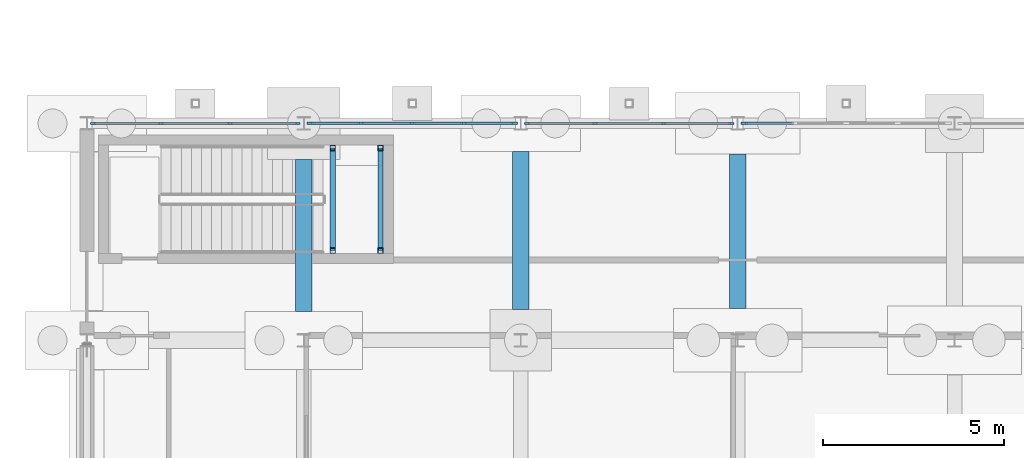
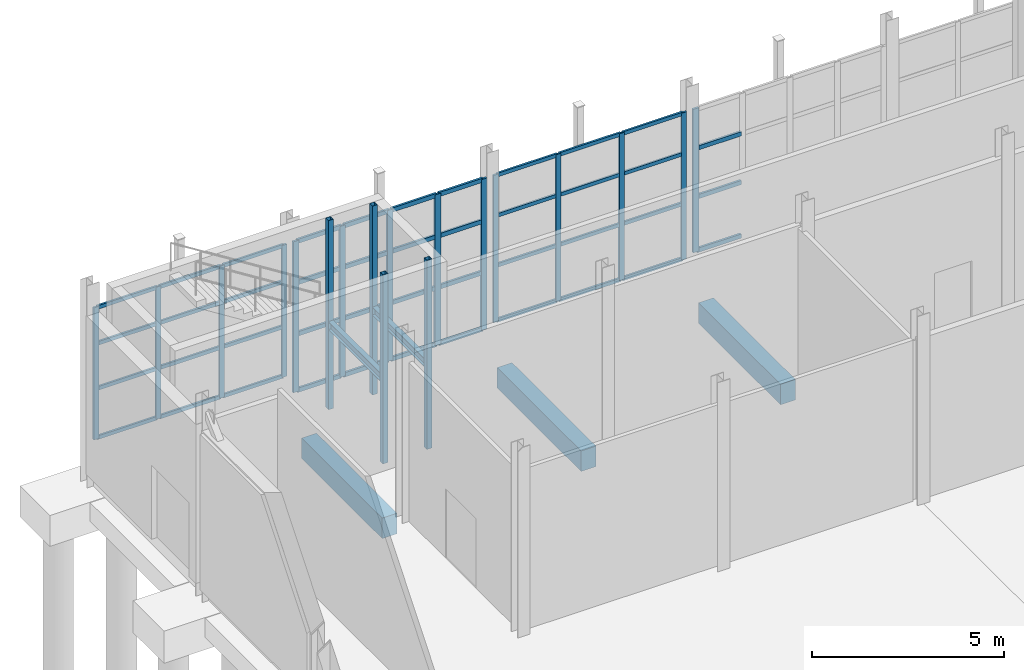
# One storey, part 35 of 120: 61 members, 5 beams, 4 elements without a shape of their own.
"""IFC4 building model written with IfcOpenShell, lengths in metres."""

import ifcopenshell
import ifcopenshell.guid

model = None  # the IFC model being written
_history = None  # IfcOwnerHistory: only IFC2X3 demands one
_inside = {}  # id of a spatial element -> (the spatial element, [elements in it])
_under = {}  # id of a project, library or spatial element -> (it, [spatial elements below it])
_declared = {}  # id of a project -> (the project, [libraries it declares])
_typed = {}  # id of a type object -> (the type object, [elements of that type])
_made_of = {}  # id of a material, layer set ... -> (it, [elements and type objects made of it])


def new_model(schema):
    """Start an empty IFC model of exactly this schema.

    Asked for "IFC4X3", IfcOpenShell would pick the latest addendum, in which some entities
    have other attributes; the version numbers below select the first issue.
    IFC2X3 requires an IfcOwnerHistory on every rooted entity: one is made here for all.
    """
    global model, _history
    if schema == "IFC4X3":
        model = ifcopenshell.file(schema_version=(4, 3, 0, 0))
    else:
        model = ifcopenshell.file(schema=schema)
    _inside.clear()
    _under.clear()
    _declared.clear()
    _typed.clear()
    _made_of.clear()
    _history = None
    if model.schema == "IFC2X3":
        org = make("IfcOrganization", Name="unknown")
        user = make(
            "IfcPersonAndOrganization",
            ThePerson=make("IfcPerson", FamilyName="unknown"),
            TheOrganization=org,
        )
        app = make(
            "IfcApplication",
            ApplicationDeveloper=org,
            Version="unknown",
            ApplicationFullName="unknown",
            ApplicationIdentifier="unknown",
        )
        _history = make(
            "IfcOwnerHistory",
            OwningUser=user,
            OwningApplication=app,
            ChangeAction="ADDED",
            CreationDate=0,
        )
    return model


def make(cls, **values):
    """One entity of the class cls with the attributes given. An attribute that is None is left unset."""
    return model.create_entity(
        cls, **{name: value for name, value in values.items() if value is not None}
    )


def rooted(cls, **values):
    """An entity with a GlobalId (a new one), such as an element, a storey or a relation."""
    return make(cls, GlobalId=ifcopenshell.guid.new(), OwnerHistory=_history, **values)


def si_unit(unit_type, name, prefix=None):
    """IfcSIUnit, for example si_unit("LENGTHUNIT", "METRE", prefix="MILLI")."""
    return make("IfcSIUnit", UnitType=unit_type, Prefix=prefix, Name=name)


def assignment(units):
    """IfcUnitAssignment: the units of a project."""
    return None if units is None else make("IfcUnitAssignment", Units=units)


def point(xyz):
    """IfcCartesianPoint."""
    return None if xyz is None else make("IfcCartesianPoint", Coordinates=xyz)


def direction(xyz):
    """IfcDirection."""
    return None if xyz is None else make("IfcDirection", DirectionRatios=xyz)


def frame(location, z_axis=None, x_axis=None):
    """IfcAxis2Placement3D, a coordinate frame: its origin and axes. An axis left out is left unset."""
    return make(
        "IfcAxis2Placement3D",
        Location=point(location),
        Axis=direction(z_axis),
        RefDirection=direction(x_axis),
    )


def frame_2d(location, x_axis=None):
    """IfcAxis2Placement2D, a coordinate frame in the plane: its origin and x axis."""
    return make(
        "IfcAxis2Placement2D", Location=point(location), RefDirection=direction(x_axis)
    )


def origin():
    """The frame at (0, 0, 0) with its axes left unset."""
    return frame((0.0, 0.0, 0.0))


def origin_2d():
    """The frame at (0, 0) in the plane with its x axis left unset."""
    return frame_2d((0.0, 0.0))


def place(relative_to, where):
    """IfcLocalPlacement: puts the frame where relative to a parent placement (None: the world)."""
    return make(
        "IfcLocalPlacement", PlacementRelTo=relative_to, RelativePlacement=where
    )


def context(
    kind, dimensions, precision=None, world=None, true_north=None, identifier=None
):
    """IfcGeometricRepresentationContext, for example the 3D "Model" context."""
    return make(
        "IfcGeometricRepresentationContext",
        ContextIdentifier=identifier,
        ContextType=kind,
        CoordinateSpaceDimension=dimensions,
        Precision=precision,
        WorldCoordinateSystem=world,
        TrueNorth=true_north,
    )


def subcontext(parent, identifier, kind, view, scale=None):
    """IfcGeometricRepresentationSubContext, for example "Body" below "Model"."""
    return make(
        "IfcGeometricRepresentationSubContext",
        ContextIdentifier=identifier,
        ContextType=kind,
        ParentContext=parent,
        TargetScale=scale,
        TargetView=view,
    )


def project(units=None, contexts=None):
    """IfcProject with its units and contexts."""
    return rooted(
        "IfcProject",
        Name="project",
        RepresentationContexts=contexts,
        UnitsInContext=assignment(units),
    )


def spatial(cls, under=None, at=None, **own):
    """A site, building, storey or space (cls), placed at a placement, below another one or the project."""
    s = rooted(cls, ObjectPlacement=at, **own)
    if under is not None:
        _under.setdefault(under.id(), (under, []))[1].append(s)
    return s


def profile(cls, at=None, kind="AREA", **sizes):
    """A parametric profile (cls). Its sizes go by their IFC names, for example OverallWidth=200.0."""
    return make(cls, ProfileType=kind, Position=at, **sizes)


def rectangle(**sizes):
    """IfcRectangleProfileDef."""
    return profile("IfcRectangleProfileDef", **sizes)


def hollow_rectangle(**sizes):
    """IfcRectangleHollowProfileDef."""
    return profile("IfcRectangleHollowProfileDef", **sizes)


def i_section(**sizes):
    """IfcIShapeProfileDef."""
    return profile("IfcIShapeProfileDef", **sizes)


def extrude(swept, where, along, depth):
    """IfcExtrudedAreaSolid: the profile swept, set in the frame where, extruded along a direction by depth."""
    return make(
        "IfcExtrudedAreaSolid",
        SweptArea=swept,
        Position=where,
        ExtrudedDirection=direction(along),
        Depth=depth,
    )


def shape(context_of_items, identifier, shape_type, items):
    """IfcShapeRepresentation: the items that make up one representation, for example the "Body"."""
    return make(
        "IfcShapeRepresentation",
        ContextOfItems=context_of_items,
        RepresentationIdentifier=identifier,
        RepresentationType=shape_type,
        Items=items,
    )


def material(Name=None, Category=None):
    """IfcMaterial."""
    return make("IfcMaterial", Name=Name, Category=Category)


def material_profile(
    of_material, cross_section, Name=None, Category=None, Priority=None
):
    """IfcMaterialProfile: a cross section and its material."""
    return make(
        "IfcMaterialProfile",
        Name=Name,
        Material=of_material,
        Profile=cross_section,
        Priority=Priority,
        Category=Category,
    )


def profile_set(profiles, Name=None, composite=None):
    """IfcMaterialProfileSet."""
    return make(
        "IfcMaterialProfileSet",
        Name=Name,
        MaterialProfiles=profiles,
        CompositeProfile=composite,
    )


def made_of(thing, what):
    """Note that an element or type object is made of a material, layer set ...; save() writes the relation."""
    if what is not None:
        _made_of.setdefault(what.id(), (what, []))[1].append(thing)
    return thing


def type_object(cls, material=None, **own):
    """A type object (cls), such as IfcWallType, which elements share."""
    return made_of(rooted(cls, **own), material)


def element(
    cls,
    number,
    at=None,
    inside=None,
    cuts=None,
    type_object=None,
    material=None,
    context=None,
    identifier="Body",
    shape_type=None,
    held_by="IfcProductDefinitionShape",
    body=None,
    shapes=None,
    **own,
):
    """One element of the class cls, such as IfcWall. Its Tag is "e" and its number.

    at: its placement. inside: the storey or other place that contains it. cuts: it is an
    opening in that element (IfcRelVoidsElement). A single representation is given by context,
    identifier, shape_type and body (its items); several are given by shapes. held_by: the class
    of the entity that holds the representations. save() writes the other relations.
    """
    e = rooted(cls, Tag="e%d" % number, ObjectPlacement=at, **own)
    if body is not None:
        shapes = [shape(context, identifier, shape_type, body)]
    if shapes is not None:
        e.Representation = make(held_by, Representations=shapes)
    if inside is not None:
        _inside.setdefault(inside.id(), (inside, []))[1].append(e)
    if cuts is not None:
        rooted(
            "IfcRelVoidsElement", RelatingBuildingElement=cuts, RelatedOpeningElement=e
        )
    if type_object is not None:
        _typed.setdefault(type_object.id(), (type_object, []))[1].append(e)
    return made_of(e, material)


def aggregate(whole, parts):
    """IfcRelAggregates: a whole, such as a stair, and the parts it consists of."""
    return rooted("IfcRelAggregates", RelatingObject=whole, RelatedObjects=parts)


def save(model, path):
    """Write the relations noted so far, then the file.

    IfcRelAggregates (storeys below a building ...), IfcRelContainedInSpatialStructure (elements
    in a storey), IfcRelDefinesByType, IfcRelAssociatesMaterial and IfcRelDeclares: one each for
    every whole, place, type object, material and project.
    """
    for whole, parts in _under.values():
        aggregate(whole, parts)
    for where, things in _inside.values():
        rooted(
            "IfcRelContainedInSpatialStructure",
            RelatedElements=things,
            RelatingStructure=where,
        )
    for kind, things in _typed.values():
        rooted("IfcRelDefinesByType", RelatedObjects=things, RelatingType=kind)
    for what, things in _made_of.values():
        rooted("IfcRelAssociatesMaterial", RelatedObjects=things, RelatingMaterial=what)
    for by, libraries in _declared.values():
        rooted("IfcRelDeclares", RelatingContext=by, RelatedDefinitions=libraries)
    model.write(path)


model = new_model("IFC4")

# Units and contexts
model_context = context("Model", 3, precision=1e-05, world=origin(), true_north=direction((0.0, 1.0)))
body_context = subcontext(model_context, "Body", "Model", "MODEL_VIEW")
ifc_project = project(units=[si_unit("LENGTHUNIT", "METRE"), si_unit("AREAUNIT", "SQUARE_METRE"), si_unit("VOLUMEUNIT", "CUBIC_METRE"), si_unit("PLANEANGLEUNIT", "RADIAN"), si_unit("MASSUNIT", "GRAM", prefix="KILO")], contexts=[model_context])

# Site, building, storey
site_placement = place(None, origin())
site = spatial("IfcSite", under=ifc_project, at=site_placement, CompositionType="ELEMENT")
building_placement = place(site_placement, origin())
building = spatial("IfcBuilding", under=site, at=building_placement, Name="Siltcreek Boulevard Central Fire Station", CompositionType="ELEMENT")
storey_placement = place(building_placement, origin())
storey = spatial("IfcBuildingStorey", under=building, at=storey_placement, Name="L01", CompositionType="ELEMENT", Elevation=0.0)

# Members
ifc_material_1 = material(Name="Structural steel ASTM A500 GrC", Category="steel")
ifc_material_profile_1 = material_profile(ifc_material_1, hollow_rectangle(XDim=0.14990234375, YDim=0.14990234375, WallThickness=0.008056640625, at=origin_2d()), Name="HSS150X150X8.0")
ifc_profile_set_1 = profile_set([ifc_material_profile_1], Name="Structural steel ASTM A500 GrC")
member_type_1 = type_object("IfcMemberType", Name="BR_HSS150_8", PredefinedType="BRACE", material=ifc_profile_set_1)
for number, where, z_axis, x_axis, name in (
    (1, (8.60009765625, 50.47998046875, 0.0), (0.0, 0.0, 1.0), (1.0, 0.0, 0.0), "L01 ST-V4A stair landing corner post SW"),
    (2, (8.60009765625, 53.320068359375, 0.0), (0.0, 0.0, 1.0), (1.0, 0.0, 0.0), "L01 ST-V4A stair landing corner post NW"),
    (3, (9.919921875, 50.47998046875, 0.0), (0.0, 0.0, 1.0), (1.0, 0.0, 0.0), "L01 ST-V4A stair landing corner post SE"),
    (4, (9.919921875, 53.320068359375, 0.0), (0.0, 0.0, 1.0), (1.0, 0.0, 0.0), "L01 ST-V4A stair landing corner post NE"),
):
    element("IfcMember", number, at=place(storey_placement, frame(where, z_axis=z_axis, x_axis=x_axis)), inside=storey, type_object=member_type_1, Name=name, PredefinedType="BRACE", context=body_context, shape_type="SweptSolid", body=[
        extrude(hollow_rectangle(XDim=0.14990234375, YDim=0.14990234375, WallThickness=0.008056640625, at=origin_2d()), origin(), (0.0, 0.0, 1.0), 6.0),
    ])

# Curtain wall, members
ifc_material_2 = material(Name="Anodized aluminum and low-E insulated glazing", Category="aluminium")
curtain_wall_type_1 = type_object("IfcCurtainWallType", Name="CW_SYS_30", PredefinedType="USERDEFINED", material=ifc_material_2)
curtain_wall_1_placement = place(storey_placement, origin())
curtain_wall_1 = element("IfcCurtainWall", 5, at=curtain_wall_1_placement, inside=storey, type_object=curtain_wall_type_1, Name="L01 V4 unitised curtain wall CW-089", ObjectType="CURTAIN WALL", PredefinedType="USERDEFINED")
ifc_material_3 = material(Name="Anodized 6063-T6 aluminum framing", Category="aluminium")
ifc_material_profile_2 = material_profile(ifc_material_3, rectangle(XDim=0.06005859375, YDim=0.14990234375, at=origin_2d()), Name="MULL60X150")
ifc_profile_set_2 = profile_set([ifc_material_profile_2], Name="Anodized 6063-T6 aluminum framing")
member_type_2 = type_object("IfcMemberType", Name="CWM_60X150", PredefinedType="MULLION", material=ifc_profile_set_2)
member_1_placement = place(storey_placement, frame((7.625, 54.0, 0.919921875), z_axis=(0.0, 0.0, 1.0), x_axis=(0.0, -1.0, 0.0)))
member_1 = element("IfcMember", 6, at=member_1_placement, type_object=member_type_2, Name="CW-089 mullion 1", PredefinedType="MULLION", context=body_context, shape_type="SweptSolid", body=[
    extrude(rectangle(XDim=0.06005859375, YDim=0.14990234375, at=origin_2d()), origin(), (0.0, 0.0, 1.0), 4.193115234375),
])
member_2_placement = place(storey_placement, frame((5.751708984375, 54.0, 0.919921875), z_axis=(0.0, 0.0, 1.0), x_axis=(0.0, -1.0, 0.0)))
member_2 = element("IfcMember", 7, at=member_2_placement, type_object=member_type_2, Name="CW-089 mullion 2", PredefinedType="MULLION", context=body_context, shape_type="SweptSolid", body=[
    extrude(rectangle(XDim=0.06005859375, YDim=0.14990234375, at=origin_2d()), origin(), (0.0, 0.0, 1.0), 4.193115234375),
])
member_3_placement = place(storey_placement, frame((3.848388671875, 54.0, 0.919921875), z_axis=(0.0, 0.0, 1.0), x_axis=(0.0, -1.0, 0.0)))
member_3 = element("IfcMember", 8, at=member_3_placement, type_object=member_type_2, Name="CW-089 mullion 3", PredefinedType="MULLION", context=body_context, shape_type="SweptSolid", body=[
    extrude(rectangle(XDim=0.06005859375, YDim=0.14990234375, at=origin_2d()), origin(), (0.0, 0.0, 1.0), 4.193115234375),
])
member_4_placement = place(storey_placement, frame((1.97509765625, 54.0, 0.919921875), z_axis=(0.0, 0.0, 1.0), x_axis=(0.0, -1.0, 0.0)))
member_4 = element("IfcMember", 9, at=member_4_placement, type_object=member_type_2, Name="CW-089 mullion 4", PredefinedType="MULLION", context=body_context, shape_type="SweptSolid", body=[
    extrude(rectangle(XDim=0.06005859375, YDim=0.14990234375, at=origin_2d()), origin(), (0.0, 0.0, 1.0), 4.193115234375),
])

curtain_wall_type_2 = type_object("IfcCurtainWallType", Name="CW_SYS_02", PredefinedType="USERDEFINED", material=ifc_material_2)
curtain_wall_2_placement = place(storey_placement, origin())
curtain_wall_2 = element("IfcCurtainWall", 10, at=curtain_wall_2_placement, inside=storey, type_object=curtain_wall_type_2, Name="L01 V4 unitised curtain wall CW-091", ObjectType="CURTAIN WALL", PredefinedType="USERDEFINED")
member_5_placement = place(storey_placement, frame((19.625, 54.0, 0.43994140625), z_axis=(0.0, 0.0, 1.0), x_axis=(0.0, -1.0, 0.0)))
member_5 = element("IfcMember", 11, at=member_5_placement, type_object=member_type_2, Name="CW-091 mullion 1", PredefinedType="MULLION", context=body_context, shape_type="SweptSolid", body=[
    extrude(rectangle(XDim=0.06005859375, YDim=0.14990234375, at=origin_2d()), origin(), (0.0, 0.0, 1.0), 4.673095703125),
])
member_6_placement = place(storey_placement, frame((17.751708984375, 54.0, 0.43994140625), z_axis=(0.0, 0.0, 1.0), x_axis=(0.0, -1.0, 0.0)))
member_6 = element("IfcMember", 12, at=member_6_placement, type_object=member_type_2, Name="CW-091 mullion 2", PredefinedType="MULLION", context=body_context, shape_type="SweptSolid", body=[
    extrude(rectangle(XDim=0.06005859375, YDim=0.14990234375, at=origin_2d()), origin(), (0.0, 0.0, 1.0), 4.673095703125),
])
member_7_placement = place(storey_placement, frame((15.848388671875, 54.0, 0.43994140625), z_axis=(0.0, 0.0, 1.0), x_axis=(0.0, -1.0, 0.0)))
member_7 = element("IfcMember", 13, at=member_7_placement, type_object=member_type_2, Name="CW-091 mullion 3", PredefinedType="MULLION", context=body_context, shape_type="SweptSolid", body=[
    extrude(rectangle(XDim=0.06005859375, YDim=0.14990234375, at=origin_2d()), origin(), (0.0, 0.0, 1.0), 4.673095703125),
])
member_8_placement = place(storey_placement, frame((13.97509765625, 54.0, 0.43994140625), z_axis=(0.0, 0.0, 1.0), x_axis=(0.0, -1.0, 0.0)))
member_8 = element("IfcMember", 14, at=member_8_placement, type_object=member_type_2, Name="CW-091 mullion 4", PredefinedType="MULLION", context=body_context, shape_type="SweptSolid", body=[
    extrude(rectangle(XDim=0.06005859375, YDim=0.14990234375, at=origin_2d()), origin(), (0.0, 0.0, 1.0), 4.673095703125),
])

curtain_wall_type_3 = type_object("IfcCurtainWallType", Name="CW_SYS_01", PredefinedType="USERDEFINED", material=ifc_material_2)
curtain_wall_3_placement = place(storey_placement, origin())
curtain_wall_3 = element("IfcCurtainWall", 15, at=curtain_wall_3_placement, inside=storey, type_object=curtain_wall_type_3, Name="L01 V4 unitised curtain wall CW-090", ObjectType="CURTAIN WALL", PredefinedType="USERDEFINED")
ifc_material_profile_3 = material_profile(ifc_material_3, rectangle(XDim=0.06494140625, YDim=0.175048828125, at=origin_2d()), Name="MULL65X175")
ifc_profile_set_3 = profile_set([ifc_material_profile_3], Name="Anodized 6063-T6 aluminum framing")
member_type_3 = type_object("IfcMemberType", Name="CWM_65X175", PredefinedType="MULLION", material=ifc_profile_set_3)
member_9_placement = place(storey_placement, frame((13.62255859375, 54.0, 0.320068359375), z_axis=(0.0, 0.0, 1.0), x_axis=(0.0, -1.0, 0.0)))
member_9 = element("IfcMember", 16, at=member_9_placement, type_object=member_type_3, Name="CW-090 mullion 1", PredefinedType="MULLION", context=body_context, shape_type="SweptSolid", body=[
    extrude(rectangle(XDim=0.06494140625, YDim=0.175048828125, at=origin_2d()), origin(), (0.0, 0.0, 1.0), 4.79296875),
])
member_10_placement = place(storey_placement, frame((12.2275390625, 54.0, 0.320068359375), z_axis=(0.0, 0.0, 1.0), x_axis=(0.0, -1.0, 0.0)))
member_10 = element("IfcMember", 17, at=member_10_placement, type_object=member_type_3, Name="CW-090 mullion 2", PredefinedType="MULLION", context=body_context, shape_type="SweptSolid", body=[
    extrude(rectangle(XDim=0.06494140625, YDim=0.175048828125, at=origin_2d()), origin(), (0.0, 0.0, 1.0), 4.79296875),
])
member_11_placement = place(storey_placement, frame((10.800048828125, 54.0, 0.320068359375), z_axis=(0.0, 0.0, 1.0), x_axis=(0.0, -1.0, 0.0)))
member_11 = element("IfcMember", 18, at=member_11_placement, type_object=member_type_3, Name="CW-090 mullion 3", PredefinedType="MULLION", context=body_context, shape_type="SweptSolid", body=[
    extrude(rectangle(XDim=0.06494140625, YDim=0.175048828125, at=origin_2d()), origin(), (0.0, 0.0, 1.0), 4.79296875),
])
member_12_placement = place(storey_placement, frame((9.37255859375, 54.0, 0.320068359375), z_axis=(0.0, 0.0, 1.0), x_axis=(0.0, -1.0, 0.0)))
member_12 = element("IfcMember", 19, at=member_12_placement, type_object=member_type_3, Name="CW-090 mullion 4", PredefinedType="MULLION", context=body_context, shape_type="SweptSolid", body=[
    extrude(rectangle(XDim=0.06494140625, YDim=0.175048828125, at=origin_2d()), origin(), (0.0, 0.0, 1.0), 4.79296875),
])
member_13_placement = place(storey_placement, frame((7.9775390625, 54.0, 0.320068359375), z_axis=(0.0, 0.0, 1.0), x_axis=(0.0, -1.0, 0.0)))
member_13 = element("IfcMember", 20, at=member_13_placement, type_object=member_type_3, Name="CW-090 mullion 5", PredefinedType="MULLION", context=body_context, shape_type="SweptSolid", body=[
    extrude(rectangle(XDim=0.06494140625, YDim=0.175048828125, at=origin_2d()), origin(), (0.0, 0.0, 1.0), 4.79296875),
])

# Curtain wall, member
curtain_wall_type_4 = type_object("IfcCurtainWallType", Name="CW_SYS_03", PredefinedType="USERDEFINED", material=ifc_material_2)
curtain_wall_4_placement = place(storey_placement, origin())
curtain_wall_4 = element("IfcCurtainWall", 21, at=curtain_wall_4_placement, inside=storey, type_object=curtain_wall_type_4, Name="L01 V4 unitised curtain wall CW-092", ObjectType="CURTAIN WALL", PredefinedType="USERDEFINED")
member_14_placement = place(storey_placement, frame((19.9775390625, 54.0, 0.56005859375), z_axis=(0.0, 0.0, 1.0), x_axis=(0.0, -1.0, 0.0)))
member_14 = element("IfcMember", 22, at=member_14_placement, type_object=member_type_3, Name="CW-092 mullion 5", PredefinedType="MULLION", context=body_context, shape_type="SweptSolid", body=[
    extrude(rectangle(XDim=0.06494140625, YDim=0.175048828125, at=origin_2d()), origin(), (0.0, 0.0, 1.0), 4.552978515625),
])

# Member
ifc_material_profile_4 = material_profile(ifc_material_3, rectangle(XDim=0.06005859375, YDim=0.114990234375, at=origin_2d()), Name="TRAN60X115")
ifc_profile_set_4 = profile_set([ifc_material_profile_4], Name="Anodized 6063-T6 aluminum framing")
member_type_4 = type_object("IfcMemberType", Name="CWT_60X115", PredefinedType="USERDEFINED", material=ifc_profile_set_4)
member_15_placement = place(storey_placement, frame((7.594970703125, 54.0, 0.949951171875), z_axis=(-1.0, 0.0, 0.0), x_axis=(0.0, -1.0, 0.0)))
member_15 = element("IfcMember", 23, at=member_15_placement, type_object=member_type_4, Name="CW-089 transom 1.1", ObjectType="TRANSOM", PredefinedType="USERDEFINED", context=body_context, shape_type="SweptSolid", body=[
    extrude(rectangle(XDim=0.06005859375, YDim=0.114990234375, at=origin_2d()), origin(), (0.0, 0.0, 1.0), 1.813232421875),
])

member_16_placement = place(storey_placement, frame((7.594970703125, 54.0, 2.51318359375), z_axis=(-1.0, 0.0, 0.0), x_axis=(0.0, -1.0, 0.0)))
member_16 = element("IfcMember", 24, at=member_16_placement, type_object=member_type_4, Name="CW-089 transom 1.2", ObjectType="TRANSOM", PredefinedType="USERDEFINED", context=body_context, shape_type="SweptSolid", body=[
    extrude(rectangle(XDim=0.06005859375, YDim=0.114990234375, at=origin_2d()), origin(), (0.0, 0.0, 1.0), 1.813232421875),
])

member_17_placement = place(storey_placement, frame((7.594970703125, 54.0, 3.93896484375), z_axis=(-1.0, 0.0, 0.0), x_axis=(0.0, -1.0, 0.0)))
member_17 = element("IfcMember", 25, at=member_17_placement, type_object=member_type_4, Name="CW-089 transom 1.3", ObjectType="TRANSOM", PredefinedType="USERDEFINED", context=body_context, shape_type="SweptSolid", body=[
    extrude(rectangle(XDim=0.06005859375, YDim=0.114990234375, at=origin_2d()), origin(), (0.0, 0.0, 1.0), 1.813232421875),
])

member_18_placement = place(storey_placement, frame((7.594970703125, 54.0, 5.0830078125), z_axis=(-1.0, 0.0, 0.0), x_axis=(0.0, -1.0, 0.0)))
member_18 = element("IfcMember", 26, at=member_18_placement, type_object=member_type_4, Name="CW-089 transom 1.4", ObjectType="TRANSOM", PredefinedType="USERDEFINED", context=body_context, shape_type="SweptSolid", body=[
    extrude(rectangle(XDim=0.06005859375, YDim=0.114990234375, at=origin_2d()), origin(), (0.0, 0.0, 1.0), 1.813232421875),
])

member_19_placement = place(storey_placement, frame((5.7216796875, 54.0, 0.949951171875), z_axis=(-1.0, 0.0, 0.0), x_axis=(0.0, -1.0, 0.0)))
member_19 = element("IfcMember", 27, at=member_19_placement, type_object=member_type_4, Name="CW-089 transom 2.1", ObjectType="TRANSOM", PredefinedType="USERDEFINED", context=body_context, shape_type="SweptSolid", body=[
    extrude(rectangle(XDim=0.06005859375, YDim=0.114990234375, at=origin_2d()), origin(), (0.0, 0.0, 1.0), 1.84326171875),
])

member_20_placement = place(storey_placement, frame((5.7216796875, 54.0, 2.51318359375), z_axis=(-1.0, 0.0, 0.0), x_axis=(0.0, -1.0, 0.0)))
member_20 = element("IfcMember", 28, at=member_20_placement, type_object=member_type_4, Name="CW-089 transom 2.2", ObjectType="TRANSOM", PredefinedType="USERDEFINED", context=body_context, shape_type="SweptSolid", body=[
    extrude(rectangle(XDim=0.06005859375, YDim=0.114990234375, at=origin_2d()), origin(), (0.0, 0.0, 1.0), 1.84326171875),
])

member_21_placement = place(storey_placement, frame((5.7216796875, 54.0, 3.93896484375), z_axis=(-1.0, 0.0, 0.0), x_axis=(0.0, -1.0, 0.0)))
member_21 = element("IfcMember", 29, at=member_21_placement, type_object=member_type_4, Name="CW-089 transom 2.3", ObjectType="TRANSOM", PredefinedType="USERDEFINED", context=body_context, shape_type="SweptSolid", body=[
    extrude(rectangle(XDim=0.06005859375, YDim=0.114990234375, at=origin_2d()), origin(), (0.0, 0.0, 1.0), 1.84326171875),
])

member_22_placement = place(storey_placement, frame((5.7216796875, 54.0, 5.0830078125), z_axis=(-1.0, 0.0, 0.0), x_axis=(0.0, -1.0, 0.0)))
member_22 = element("IfcMember", 30, at=member_22_placement, type_object=member_type_4, Name="CW-089 transom 2.4", ObjectType="TRANSOM", PredefinedType="USERDEFINED", context=body_context, shape_type="SweptSolid", body=[
    extrude(rectangle(XDim=0.06005859375, YDim=0.114990234375, at=origin_2d()), origin(), (0.0, 0.0, 1.0), 1.84326171875),
])

member_23_placement = place(storey_placement, frame((3.818359375, 54.0, 0.949951171875), z_axis=(-1.0, 0.0, 0.0), x_axis=(0.0, -1.0, 0.0)))
member_23 = element("IfcMember", 31, at=member_23_placement, type_object=member_type_4, Name="CW-089 transom 3.1", ObjectType="TRANSOM", PredefinedType="USERDEFINED", context=body_context, shape_type="SweptSolid", body=[
    extrude(rectangle(XDim=0.06005859375, YDim=0.114990234375, at=origin_2d()), origin(), (0.0, 0.0, 1.0), 1.8134765625),
])

member_24_placement = place(storey_placement, frame((3.818359375, 54.0, 2.51318359375), z_axis=(-1.0, 0.0, 0.0), x_axis=(0.0, -1.0, 0.0)))
member_24 = element("IfcMember", 32, at=member_24_placement, type_object=member_type_4, Name="CW-089 transom 3.2", ObjectType="TRANSOM", PredefinedType="USERDEFINED", context=body_context, shape_type="SweptSolid", body=[
    extrude(rectangle(XDim=0.06005859375, YDim=0.114990234375, at=origin_2d()), origin(), (0.0, 0.0, 1.0), 1.8134765625),
])

member_25_placement = place(storey_placement, frame((3.818359375, 54.0, 3.93896484375), z_axis=(-1.0, 0.0, 0.0), x_axis=(0.0, -1.0, 0.0)))
member_25 = element("IfcMember", 33, at=member_25_placement, type_object=member_type_4, Name="CW-089 transom 3.3", ObjectType="TRANSOM", PredefinedType="USERDEFINED", context=body_context, shape_type="SweptSolid", body=[
    extrude(rectangle(XDim=0.06005859375, YDim=0.114990234375, at=origin_2d()), origin(), (0.0, 0.0, 1.0), 1.8134765625),
])

member_26_placement = place(storey_placement, frame((3.818359375, 54.0, 5.0830078125), z_axis=(-1.0, 0.0, 0.0), x_axis=(0.0, -1.0, 0.0)))
member_26 = element("IfcMember", 34, at=member_26_placement, type_object=member_type_4, Name="CW-089 transom 3.4", ObjectType="TRANSOM", PredefinedType="USERDEFINED", context=body_context, shape_type="SweptSolid", body=[
    extrude(rectangle(XDim=0.06005859375, YDim=0.114990234375, at=origin_2d()), origin(), (0.0, 0.0, 1.0), 1.8134765625),
])

aggregate(curtain_wall_1, [member_1, member_2, member_3, member_4, member_15, member_16, member_17, member_18, member_19, member_20, member_21, member_22, member_23, member_24, member_25, member_26])

member_27_placement = place(storey_placement, frame((19.594970703125, 54.0, 0.469970703125), z_axis=(-1.0, 0.0, 0.0), x_axis=(0.0, -1.0, 0.0)))
member_27 = element("IfcMember", 35, at=member_27_placement, type_object=member_type_4, Name="CW-091 transom 1.1", ObjectType="TRANSOM", PredefinedType="USERDEFINED", context=body_context, shape_type="SweptSolid", body=[
    extrude(rectangle(XDim=0.06005859375, YDim=0.114990234375, at=origin_2d()), origin(), (0.0, 0.0, 1.0), 1.813232421875),
])

member_28_placement = place(storey_placement, frame((19.594970703125, 54.0, 2.2158203125), z_axis=(-1.0, 0.0, 0.0), x_axis=(0.0, -1.0, 0.0)))
member_28 = element("IfcMember", 36, at=member_28_placement, type_object=member_type_4, Name="CW-091 transom 1.2", ObjectType="TRANSOM", PredefinedType="USERDEFINED", context=body_context, shape_type="SweptSolid", body=[
    extrude(rectangle(XDim=0.06005859375, YDim=0.114990234375, at=origin_2d()), origin(), (0.0, 0.0, 1.0), 1.813232421875),
])

member_29_placement = place(storey_placement, frame((19.594970703125, 54.0, 3.8046875), z_axis=(-1.0, 0.0, 0.0), x_axis=(0.0, -1.0, 0.0)))
member_29 = element("IfcMember", 37, at=member_29_placement, type_object=member_type_4, Name="CW-091 transom 1.3", ObjectType="TRANSOM", PredefinedType="USERDEFINED", context=body_context, shape_type="SweptSolid", body=[
    extrude(rectangle(XDim=0.06005859375, YDim=0.114990234375, at=origin_2d()), origin(), (0.0, 0.0, 1.0), 1.813232421875),
])

member_30_placement = place(storey_placement, frame((19.594970703125, 54.0, 5.0830078125), z_axis=(-1.0, 0.0, 0.0), x_axis=(0.0, -1.0, 0.0)))
member_30 = element("IfcMember", 38, at=member_30_placement, type_object=member_type_4, Name="CW-091 transom 1.4", ObjectType="TRANSOM", PredefinedType="USERDEFINED", context=body_context, shape_type="SweptSolid", body=[
    extrude(rectangle(XDim=0.06005859375, YDim=0.114990234375, at=origin_2d()), origin(), (0.0, 0.0, 1.0), 1.813232421875),
])

member_31_placement = place(storey_placement, frame((17.7216796875, 54.0, 0.469970703125), z_axis=(-1.0, 0.0, 0.0), x_axis=(0.0, -1.0, 0.0)))
member_31 = element("IfcMember", 39, at=member_31_placement, type_object=member_type_4, Name="CW-091 transom 2.1", ObjectType="TRANSOM", PredefinedType="USERDEFINED", context=body_context, shape_type="SweptSolid", body=[
    extrude(rectangle(XDim=0.06005859375, YDim=0.114990234375, at=origin_2d()), origin(), (0.0, 0.0, 1.0), 1.84326171875),
])

member_32_placement = place(storey_placement, frame((17.7216796875, 54.0, 2.2158203125), z_axis=(-1.0, 0.0, 0.0), x_axis=(0.0, -1.0, 0.0)))
member_32 = element("IfcMember", 40, at=member_32_placement, type_object=member_type_4, Name="CW-091 transom 2.2", ObjectType="TRANSOM", PredefinedType="USERDEFINED", context=body_context, shape_type="SweptSolid", body=[
    extrude(rectangle(XDim=0.06005859375, YDim=0.114990234375, at=origin_2d()), origin(), (0.0, 0.0, 1.0), 1.84326171875),
])

member_33_placement = place(storey_placement, frame((17.7216796875, 54.0, 3.8046875), z_axis=(-1.0, 0.0, 0.0), x_axis=(0.0, -1.0, 0.0)))
member_33 = element("IfcMember", 41, at=member_33_placement, type_object=member_type_4, Name="CW-091 transom 2.3", ObjectType="TRANSOM", PredefinedType="USERDEFINED", context=body_context, shape_type="SweptSolid", body=[
    extrude(rectangle(XDim=0.06005859375, YDim=0.114990234375, at=origin_2d()), origin(), (0.0, 0.0, 1.0), 1.84326171875),
])

member_34_placement = place(storey_placement, frame((17.7216796875, 54.0, 5.0830078125), z_axis=(-1.0, 0.0, 0.0), x_axis=(0.0, -1.0, 0.0)))
member_34 = element("IfcMember", 42, at=member_34_placement, type_object=member_type_4, Name="CW-091 transom 2.4", ObjectType="TRANSOM", PredefinedType="USERDEFINED", context=body_context, shape_type="SweptSolid", body=[
    extrude(rectangle(XDim=0.06005859375, YDim=0.114990234375, at=origin_2d()), origin(), (0.0, 0.0, 1.0), 1.84326171875),
])

member_35_placement = place(storey_placement, frame((15.818359375, 54.0, 0.469970703125), z_axis=(-1.0, 0.0, 0.0), x_axis=(0.0, -1.0, 0.0)))
member_35 = element("IfcMember", 43, at=member_35_placement, type_object=member_type_4, Name="CW-091 transom 3.1", ObjectType="TRANSOM", PredefinedType="USERDEFINED", context=body_context, shape_type="SweptSolid", body=[
    extrude(rectangle(XDim=0.06005859375, YDim=0.114990234375, at=origin_2d()), origin(), (0.0, 0.0, 1.0), 1.8134765625),
])

member_36_placement = place(storey_placement, frame((15.818359375, 54.0, 2.2158203125), z_axis=(-1.0, 0.0, 0.0), x_axis=(0.0, -1.0, 0.0)))
member_36 = element("IfcMember", 44, at=member_36_placement, type_object=member_type_4, Name="CW-091 transom 3.2", ObjectType="TRANSOM", PredefinedType="USERDEFINED", context=body_context, shape_type="SweptSolid", body=[
    extrude(rectangle(XDim=0.06005859375, YDim=0.114990234375, at=origin_2d()), origin(), (0.0, 0.0, 1.0), 1.8134765625),
])

member_37_placement = place(storey_placement, frame((15.818359375, 54.0, 3.8046875), z_axis=(-1.0, 0.0, 0.0), x_axis=(0.0, -1.0, 0.0)))
member_37 = element("IfcMember", 45, at=member_37_placement, type_object=member_type_4, Name="CW-091 transom 3.3", ObjectType="TRANSOM", PredefinedType="USERDEFINED", context=body_context, shape_type="SweptSolid", body=[
    extrude(rectangle(XDim=0.06005859375, YDim=0.114990234375, at=origin_2d()), origin(), (0.0, 0.0, 1.0), 1.8134765625),
])

member_38_placement = place(storey_placement, frame((15.818359375, 54.0, 5.0830078125), z_axis=(-1.0, 0.0, 0.0), x_axis=(0.0, -1.0, 0.0)))
member_38 = element("IfcMember", 46, at=member_38_placement, type_object=member_type_4, Name="CW-091 transom 3.4", ObjectType="TRANSOM", PredefinedType="USERDEFINED", context=body_context, shape_type="SweptSolid", body=[
    extrude(rectangle(XDim=0.06005859375, YDim=0.114990234375, at=origin_2d()), origin(), (0.0, 0.0, 1.0), 1.8134765625),
])

aggregate(curtain_wall_2, [member_5, member_6, member_7, member_8, member_27, member_28, member_29, member_30, member_31, member_32, member_33, member_34, member_35, member_36, member_37, member_38])

ifc_material_profile_5 = material_profile(ifc_material_3, rectangle(XDim=0.06494140625, YDim=0.135009765625, at=origin_2d()), Name="TRAN65X135")
ifc_profile_set_5 = profile_set([ifc_material_profile_5], Name="Anodized 6063-T6 aluminum framing")
member_type_5 = type_object("IfcMemberType", Name="CWT_65X135", PredefinedType="USERDEFINED", material=ifc_profile_set_5)
member_39_placement = place(storey_placement, frame((13.590087890625, 54.0, 0.3525390625), z_axis=(-1.0, 0.0, 0.0), x_axis=(0.0, -1.0, 0.0)))
member_39 = element("IfcMember", 47, at=member_39_placement, type_object=member_type_5, Name="CW-090 transom 1.1", ObjectType="TRANSOM", PredefinedType="USERDEFINED", context=body_context, shape_type="SweptSolid", body=[
    extrude(rectangle(XDim=0.06494140625, YDim=0.135009765625, at=origin_2d()), origin(), (0.0, 0.0, 1.0), 1.330078125),
])

member_40_placement = place(storey_placement, frame((13.590087890625, 54.0, 2.141357421875), z_axis=(-1.0, 0.0, 0.0), x_axis=(0.0, -1.0, 0.0)))
member_40 = element("IfcMember", 48, at=member_40_placement, type_object=member_type_5, Name="CW-090 transom 1.2", ObjectType="TRANSOM", PredefinedType="USERDEFINED", context=body_context, shape_type="SweptSolid", body=[
    extrude(rectangle(XDim=0.06494140625, YDim=0.135009765625, at=origin_2d()), origin(), (0.0, 0.0, 1.0), 1.330078125),
])

member_41_placement = place(storey_placement, frame((13.590087890625, 54.0, 3.77099609375), z_axis=(-1.0, 0.0, 0.0), x_axis=(0.0, -1.0, 0.0)))
member_41 = element("IfcMember", 49, at=member_41_placement, type_object=member_type_5, Name="CW-090 transom 1.3", ObjectType="TRANSOM", PredefinedType="USERDEFINED", context=body_context, shape_type="SweptSolid", body=[
    extrude(rectangle(XDim=0.06494140625, YDim=0.135009765625, at=origin_2d()), origin(), (0.0, 0.0, 1.0), 1.330078125),
])

member_42_placement = place(storey_placement, frame((13.590087890625, 54.0, 5.08056640625), z_axis=(-1.0, 0.0, 0.0), x_axis=(0.0, -1.0, 0.0)))
member_42 = element("IfcMember", 50, at=member_42_placement, type_object=member_type_5, Name="CW-090 transom 1.4", ObjectType="TRANSOM", PredefinedType="USERDEFINED", context=body_context, shape_type="SweptSolid", body=[
    extrude(rectangle(XDim=0.06494140625, YDim=0.135009765625, at=origin_2d()), origin(), (0.0, 0.0, 1.0), 1.330078125),
])

member_43_placement = place(storey_placement, frame((12.195068359375, 54.0, 0.3525390625), z_axis=(-1.0, 0.0, 0.0), x_axis=(0.0, -1.0, 0.0)))
member_43 = element("IfcMember", 51, at=member_43_placement, type_object=member_type_5, Name="CW-090 transom 2.1", ObjectType="TRANSOM", PredefinedType="USERDEFINED", context=body_context, shape_type="SweptSolid", body=[
    extrude(rectangle(XDim=0.06494140625, YDim=0.135009765625, at=origin_2d()), origin(), (0.0, 0.0, 1.0), 1.362548828125),
])

member_44_placement = place(storey_placement, frame((12.195068359375, 54.0, 2.141357421875), z_axis=(-1.0, 0.0, 0.0), x_axis=(0.0, -1.0, 0.0)))
member_44 = element("IfcMember", 52, at=member_44_placement, type_object=member_type_5, Name="CW-090 transom 2.2", ObjectType="TRANSOM", PredefinedType="USERDEFINED", context=body_context, shape_type="SweptSolid", body=[
    extrude(rectangle(XDim=0.06494140625, YDim=0.135009765625, at=origin_2d()), origin(), (0.0, 0.0, 1.0), 1.362548828125),
])

member_45_placement = place(storey_placement, frame((12.195068359375, 54.0, 3.77099609375), z_axis=(-1.0, 0.0, 0.0), x_axis=(0.0, -1.0, 0.0)))
member_45 = element("IfcMember", 53, at=member_45_placement, type_object=member_type_5, Name="CW-090 transom 2.3", ObjectType="TRANSOM", PredefinedType="USERDEFINED", context=body_context, shape_type="SweptSolid", body=[
    extrude(rectangle(XDim=0.06494140625, YDim=0.135009765625, at=origin_2d()), origin(), (0.0, 0.0, 1.0), 1.362548828125),
])

member_46_placement = place(storey_placement, frame((12.195068359375, 54.0, 5.08056640625), z_axis=(-1.0, 0.0, 0.0), x_axis=(0.0, -1.0, 0.0)))
member_46 = element("IfcMember", 54, at=member_46_placement, type_object=member_type_5, Name="CW-090 transom 2.4", ObjectType="TRANSOM", PredefinedType="USERDEFINED", context=body_context, shape_type="SweptSolid", body=[
    extrude(rectangle(XDim=0.06494140625, YDim=0.135009765625, at=origin_2d()), origin(), (0.0, 0.0, 1.0), 1.362548828125),
])

member_47_placement = place(storey_placement, frame((10.767578125, 54.0, 0.3525390625), z_axis=(-1.0, 0.0, 0.0), x_axis=(0.0, -1.0, 0.0)))
member_47 = element("IfcMember", 55, at=member_47_placement, type_object=member_type_5, Name="CW-090 transom 3.1", ObjectType="TRANSOM", PredefinedType="USERDEFINED", context=body_context, shape_type="SweptSolid", body=[
    extrude(rectangle(XDim=0.06494140625, YDim=0.135009765625, at=origin_2d()), origin(), (0.0, 0.0, 1.0), 1.362548828125),
])

member_48_placement = place(storey_placement, frame((10.767578125, 54.0, 2.141357421875), z_axis=(-1.0, 0.0, 0.0), x_axis=(0.0, -1.0, 0.0)))
member_48 = element("IfcMember", 56, at=member_48_placement, type_object=member_type_5, Name="CW-090 transom 3.2", ObjectType="TRANSOM", PredefinedType="USERDEFINED", context=body_context, shape_type="SweptSolid", body=[
    extrude(rectangle(XDim=0.06494140625, YDim=0.135009765625, at=origin_2d()), origin(), (0.0, 0.0, 1.0), 1.362548828125),
])

member_49_placement = place(storey_placement, frame((10.767578125, 54.0, 3.77099609375), z_axis=(-1.0, 0.0, 0.0), x_axis=(0.0, -1.0, 0.0)))
member_49 = element("IfcMember", 57, at=member_49_placement, type_object=member_type_5, Name="CW-090 transom 3.3", ObjectType="TRANSOM", PredefinedType="USERDEFINED", context=body_context, shape_type="SweptSolid", body=[
    extrude(rectangle(XDim=0.06494140625, YDim=0.135009765625, at=origin_2d()), origin(), (0.0, 0.0, 1.0), 1.362548828125),
])

member_50_placement = place(storey_placement, frame((10.767578125, 54.0, 5.08056640625), z_axis=(-1.0, 0.0, 0.0), x_axis=(0.0, -1.0, 0.0)))
member_50 = element("IfcMember", 58, at=member_50_placement, type_object=member_type_5, Name="CW-090 transom 3.4", ObjectType="TRANSOM", PredefinedType="USERDEFINED", context=body_context, shape_type="SweptSolid", body=[
    extrude(rectangle(XDim=0.06494140625, YDim=0.135009765625, at=origin_2d()), origin(), (0.0, 0.0, 1.0), 1.362548828125),
])

member_51_placement = place(storey_placement, frame((9.340087890625, 54.0, 0.3525390625), z_axis=(-1.0, 0.0, 0.0), x_axis=(0.0, -1.0, 0.0)))
member_51 = element("IfcMember", 59, at=member_51_placement, type_object=member_type_5, Name="CW-090 transom 4.1", ObjectType="TRANSOM", PredefinedType="USERDEFINED", context=body_context, shape_type="SweptSolid", body=[
    extrude(rectangle(XDim=0.06494140625, YDim=0.135009765625, at=origin_2d()), origin(), (0.0, 0.0, 1.0), 1.330078125),
])

member_52_placement = place(storey_placement, frame((9.340087890625, 54.0, 2.141357421875), z_axis=(-1.0, 0.0, 0.0), x_axis=(0.0, -1.0, 0.0)))
member_52 = element("IfcMember", 60, at=member_52_placement, type_object=member_type_5, Name="CW-090 transom 4.2", ObjectType="TRANSOM", PredefinedType="USERDEFINED", context=body_context, shape_type="SweptSolid", body=[
    extrude(rectangle(XDim=0.06494140625, YDim=0.135009765625, at=origin_2d()), origin(), (0.0, 0.0, 1.0), 1.330078125),
])

member_53_placement = place(storey_placement, frame((9.340087890625, 54.0, 3.77099609375), z_axis=(-1.0, 0.0, 0.0), x_axis=(0.0, -1.0, 0.0)))
member_53 = element("IfcMember", 61, at=member_53_placement, type_object=member_type_5, Name="CW-090 transom 4.3", ObjectType="TRANSOM", PredefinedType="USERDEFINED", context=body_context, shape_type="SweptSolid", body=[
    extrude(rectangle(XDim=0.06494140625, YDim=0.135009765625, at=origin_2d()), origin(), (0.0, 0.0, 1.0), 1.330078125),
])

member_54_placement = place(storey_placement, frame((9.340087890625, 54.0, 5.08056640625), z_axis=(-1.0, 0.0, 0.0), x_axis=(0.0, -1.0, 0.0)))
member_54 = element("IfcMember", 62, at=member_54_placement, type_object=member_type_5, Name="CW-090 transom 4.4", ObjectType="TRANSOM", PredefinedType="USERDEFINED", context=body_context, shape_type="SweptSolid", body=[
    extrude(rectangle(XDim=0.06494140625, YDim=0.135009765625, at=origin_2d()), origin(), (0.0, 0.0, 1.0), 1.330078125),
])

aggregate(curtain_wall_3, [member_9, member_10, member_11, member_12, member_13, member_39, member_40, member_41, member_42, member_43, member_44, member_45, member_46, member_47, member_48, member_49, member_50, member_51, member_52, member_53, member_54])

member_55_placement = place(storey_placement, frame((21.340087890625, 54.0, 0.592529296875), z_axis=(-1.0, 0.0, 0.0), x_axis=(0.0, -1.0, 0.0)))
member_55 = element("IfcMember", 63, at=member_55_placement, type_object=member_type_5, Name="CW-092 transom 4.1", ObjectType="TRANSOM", PredefinedType="USERDEFINED", context=body_context, shape_type="SweptSolid", body=[
    extrude(rectangle(XDim=0.06494140625, YDim=0.135009765625, at=origin_2d()), origin(), (0.0, 0.0, 1.0), 1.330078125),
])

member_56_placement = place(storey_placement, frame((21.340087890625, 54.0, 2.2900390625), z_axis=(-1.0, 0.0, 0.0), x_axis=(0.0, -1.0, 0.0)))
member_56 = element("IfcMember", 64, at=member_56_placement, type_object=member_type_5, Name="CW-092 transom 4.2", ObjectType="TRANSOM", PredefinedType="USERDEFINED", context=body_context, shape_type="SweptSolid", body=[
    extrude(rectangle(XDim=0.06494140625, YDim=0.135009765625, at=origin_2d()), origin(), (0.0, 0.0, 1.0), 1.330078125),
])

member_57_placement = place(storey_placement, frame((21.340087890625, 54.0, 3.838134765625), z_axis=(-1.0, 0.0, 0.0), x_axis=(0.0, -1.0, 0.0)))
member_57 = element("IfcMember", 65, at=member_57_placement, type_object=member_type_5, Name="CW-092 transom 4.3", ObjectType="TRANSOM", PredefinedType="USERDEFINED", context=body_context, shape_type="SweptSolid", body=[
    extrude(rectangle(XDim=0.06494140625, YDim=0.135009765625, at=origin_2d()), origin(), (0.0, 0.0, 1.0), 1.330078125),
])

aggregate(curtain_wall_4, [member_14, member_55, member_56, member_57])

# Beams
ifc_material_4 = material(Name="Concrete C35/45", Category="concrete")
ifc_material_profile_6 = material_profile(ifc_material_4, rectangle(XDim=0.449951171875, YDim=0.64990234375, at=origin_2d()), Name="RC450X650")
ifc_profile_set_6 = profile_set([ifc_material_profile_6], Name="Concrete C35/45")
beam_type_1 = type_object("IfcBeamType", Name="GB_RC450X650", PredefinedType="USERDEFINED", material=ifc_profile_set_6)
beam_1_placement = place(storey_placement, frame((7.800048828125, 48.802001953125, -0.735107421875), z_axis=(0.0, 1.0, 0.0), x_axis=(-1.0, 0.0, 0.0)))
element("IfcBeam", 66, at=beam_1_placement, inside=storey, type_object=beam_type_1, Name="Reinforced concrete tie grade beam GB-144", ObjectType="GRADE BEAM", PredefinedType="USERDEFINED", context=body_context, shape_type="SweptSolid", body=[
    extrude(rectangle(XDim=0.449951171875, YDim=0.64990234375, at=origin_2d()), origin(), (0.0, 0.0, 1.0), 4.196044921875),
])
beam_2_placement = place(storey_placement, frame((13.800048828125, 48.85205078125, -0.735107421875), z_axis=(0.0, 1.0, 0.0), x_axis=(-1.0, 0.0, 0.0)))
element("IfcBeam", 67, at=beam_2_placement, inside=storey, type_object=beam_type_1, Name="Reinforced concrete tie grade beam GB-146", ObjectType="GRADE BEAM", PredefinedType="USERDEFINED", context=body_context, shape_type="SweptSolid", body=[
    extrude(rectangle(XDim=0.449951171875, YDim=0.64990234375, at=origin_2d()), origin(), (0.0, 0.0, 1.0), 4.370849609375),
])
beam_3_placement = place(storey_placement, frame((19.800048828125, 48.876953125, -0.735107421875), z_axis=(0.0, 1.0, 0.0), x_axis=(-1.0, 0.0, 0.0)))
element("IfcBeam", 68, at=beam_3_placement, inside=storey, type_object=beam_type_1, Name="Reinforced concrete tie grade beam GB-148", ObjectType="GRADE BEAM", PredefinedType="USERDEFINED", context=body_context, shape_type="SweptSolid", body=[
    extrude(rectangle(XDim=0.449951171875, YDim=0.64990234375, at=origin_2d()), origin(), (0.0, 0.0, 1.0), 4.27099609375),
])
ifc_material_5 = material(Name="Structural steel ASTM A992 Gr50", Category="steel")
ifc_material_profile_7 = material_profile(ifc_material_5, i_section(OverallWidth=0.14697265625, OverallDepth=0.261962890625, WebThickness=0.006591796875, FlangeThickness=0.01123046875, at=origin_2d()), Name="W250X39")
ifc_profile_set_7 = profile_set([ifc_material_profile_7], Name="Structural steel ASTM A992 Gr50")
beam_type_2 = type_object("IfcBeamType", Name="JST_W250X39", PredefinedType="JOIST", material=ifc_profile_set_7)
for number, where, z_axis, x_axis, name in (
    (69, (8.60009765625, 50.47998046875, 2.6689453125), (0.0, 1.0, 0.0), (-1.0, 0.0, 0.0), "L01 ST-V4A stair landing bearer MIDW"),
    (70, (9.919921875, 50.47998046875, 2.6689453125), (0.0, 1.0, 0.0), (-1.0, 0.0, 0.0), "L01 ST-V4A stair landing bearer MIDE"),
):
    element("IfcBeam", number, at=place(storey_placement, frame(where, z_axis=z_axis, x_axis=x_axis)), inside=storey, type_object=beam_type_2, Name=name, PredefinedType="JOIST", context=body_context, shape_type="SweptSolid", body=[
        extrude(i_section(OverallWidth=0.14697265625, OverallDepth=0.261962890625, WebThickness=0.006591796875, FlangeThickness=0.01123046875, at=origin_2d()), origin(), (0.0, 0.0, 1.0), 2.840087890625),
    ])

save(model, "model.ifc")
